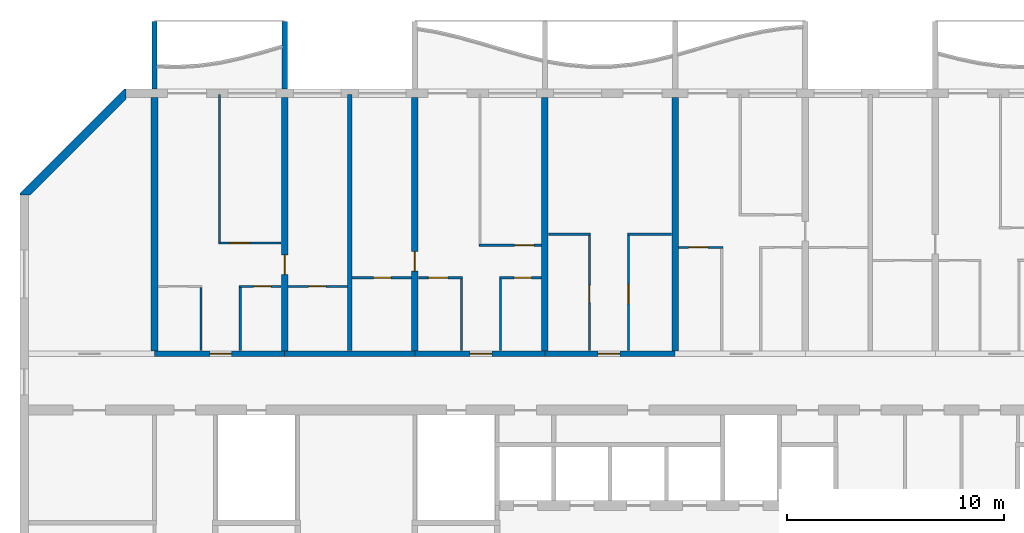
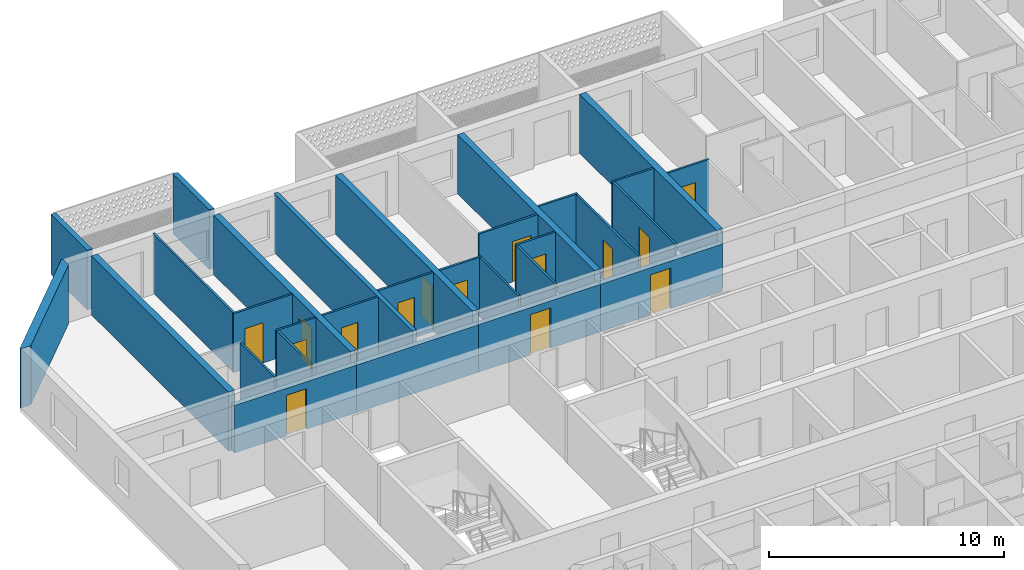
# One storey, part 9 of 33: 30 walls, 15 doors, 15 openings.
"""IFC4 building model written with IfcOpenShell, lengths in metres."""

from ifc_helpers import new_model, si_unit, direction, frame, frame_2d, origin, place, context, subcontext, project, spatial, polyline, rectangle, outline, extrude, source, transform, mapped, material, layer, layer_set, type_object, element, fill, save


model = new_model("IFC4")

# Units and contexts
model_context = context("Model", 3, precision=1e-05, world=origin(), true_north=direction((0.0, 1.0)))
body_context = subcontext(model_context, "Body", "Model", "MODEL_VIEW")
ifc_project = project(units=[si_unit("LENGTHUNIT", "METRE"), si_unit("AREAUNIT", "SQUARE_METRE"), si_unit("VOLUMEUNIT", "CUBIC_METRE"), si_unit("PLANEANGLEUNIT", "RADIAN"), si_unit("MASSUNIT", "GRAM", prefix="KILO")], contexts=[model_context])

# Site, building, storey
site_placement = place(None, origin())
site = spatial("IfcSite", under=ifc_project, at=site_placement, CompositionType="ELEMENT")
building_placement = place(site_placement, origin())
building = spatial("IfcBuilding", under=site, at=building_placement, Name="Poui Terraces", CompositionType="ELEMENT")
storey_placement = place(building_placement, frame((0.0, 0.0, 135.60009765625)))
storey = spatial("IfcBuildingStorey", under=building, at=storey_placement, Name="L37", CompositionType="ELEMENT", Elevation=135.60009765625)

# Wall, opening, door
ifc_material_1 = material(Name="Concrete 65 MPa", Category="concrete")
ifc_layer_1 = layer(ifc_material_1, 0.25)
ifc_layer_set_1 = layer_set([ifc_layer_1], Name="Concrete 65 MPa")
wall_type_1 = type_object("IfcWallType", Name="CORRIDOR WALL 250 65MPa", PredefinedType="SHEAR", material=ifc_layer_set_1)
wall_1_placement = place(storey_placement, frame((18.0, 30.39990234375, 0.0), z_axis=(0.0, 0.0, 1.0), x_axis=(1.0, 0.0, 0.0)))
wall_1 = element("IfcWall", 1, at=wall_1_placement, inside=storey, type_object=wall_type_1, Name="CORRIDOR WALL LINE E BAY 2", PredefinedType="SHEAR", context=body_context, shape_type="SweptSolid", body=[
    extrude(rectangle(XDim=6.0, YDim=0.25, at=frame_2d((3.0, 0.0))), origin(), (0.0, 0.0, 1.0), 2.469970703125),
])
opening_1_placement = place(wall_1_placement, frame((2.550048828125, 0.0, 0.0)))
opening_1 = element("IfcOpeningElement", 2, at=opening_1_placement, cuts=wall_1, Name="Opening FD30S", PredefinedType="OPENING", context=body_context, shape_type="SweptSolid", body=[
    extrude(rectangle(XDim=1.0, YDim=2.10009765625, at=frame_2d((0.5, 1.050048828125))), frame((0.0, 0.135009765625, 0.0), z_axis=(0.0, -1.0, 0.0), x_axis=(1.0, 0.0, 0.0)), (0.0, 0.0, 1.0), 0.27001953125),
])
ifc_material_2 = material(Name="Steel fire door", Category="steel")
door_type_1 = type_object("IfcDoorType", Name="FLAT ENTRANCE DOOR 1000 X 2100", OperationType="NOTDEFINED", PredefinedType="DOOR", material=ifc_material_2)
door_1_placement = place(opening_1_placement, origin())
door_1 = element("IfcDoor", 3, at=door_1_placement, inside=storey, type_object=door_type_1, Name="FLAT ENTRANCE DOOR 034", OperationType="SINGLE_SWING_RIGHT", OverallHeight=2.10009765625, OverallWidth=1.0, PredefinedType="DOOR", context=body_context, shape_type="SweptSolid", body=[
    extrude(rectangle(XDim=1.0, YDim=2.10009765625, at=frame_2d((0.5, 1.050048828125))), frame((0.0, 0.02490234375, 0.0), z_axis=(0.0, -1.0, 0.0), x_axis=(1.0, 0.0, 0.0)), (0.0, 0.0, 1.0), 0.050048828125),
])
fill(opening_1, door_1)

# Wall
wall_2_placement = place(storey_placement, frame((24.0, 30.39990234375, 0.0), z_axis=(0.0, 0.0, 1.0), x_axis=(1.0, 0.0, 0.0)))
element("IfcWall", 4, at=wall_2_placement, inside=storey, type_object=wall_type_1, Name="CORRIDOR WALL LINE E BAY 3", PredefinedType="SHEAR", context=body_context, shape_type="SweptSolid", body=[
    extrude(rectangle(XDim=6.0, YDim=0.25, at=frame_2d((3.0, 0.0))), origin(), (0.0, 0.0, 1.0), 2.469970703125),
])

# Wall, opening, door
wall_3_placement = place(storey_placement, frame((30.0, 30.39990234375, 0.0), z_axis=(0.0, 0.0, 1.0), x_axis=(1.0, 0.0, 0.0)))
wall_3 = element("IfcWall", 5, at=wall_3_placement, inside=storey, type_object=wall_type_1, Name="CORRIDOR WALL LINE E BAY 4", PredefinedType="SHEAR", context=body_context, shape_type="SweptSolid", body=[
    extrude(rectangle(XDim=6.0, YDim=0.25, at=frame_2d((3.0, 0.0))), origin(), (0.0, 0.0, 1.0), 2.469970703125),
])
opening_2_placement = place(wall_3_placement, frame((2.550048828125, 0.0, 0.0)))
opening_2 = element("IfcOpeningElement", 6, at=opening_2_placement, cuts=wall_3, Name="Opening FD30S", PredefinedType="OPENING", context=body_context, shape_type="SweptSolid", body=[
    extrude(rectangle(XDim=1.0, YDim=2.10009765625, at=frame_2d((0.5, 1.050048828125))), frame((0.0, 0.135009765625, 0.0), z_axis=(0.0, -1.0, 0.0), x_axis=(1.0, 0.0, 0.0)), (0.0, 0.0, 1.0), 0.27001953125),
])
door_2_placement = place(opening_2_placement, origin())
door_2 = element("IfcDoor", 7, at=door_2_placement, inside=storey, type_object=door_type_1, Name="FLAT ENTRANCE DOOR 041", OperationType="SINGLE_SWING_RIGHT", OverallHeight=2.10009765625, OverallWidth=1.0, PredefinedType="DOOR", context=body_context, shape_type="SweptSolid", body=[
    extrude(rectangle(XDim=1.0, YDim=2.10009765625, at=frame_2d((0.5, 1.050048828125))), frame((0.0, 0.02490234375, 0.0), z_axis=(0.0, -1.0, 0.0), x_axis=(1.0, 0.0, 0.0)), (0.0, 0.0, 1.0), 0.050048828125),
])
fill(opening_2, door_2)

wall_4_placement = place(storey_placement, frame((36.0, 30.39990234375, 0.0), z_axis=(0.0, 0.0, 1.0), x_axis=(1.0, 0.0, 0.0)))
wall_4 = element("IfcWall", 8, at=wall_4_placement, inside=storey, type_object=wall_type_1, Name="CORRIDOR WALL LINE E BAY 5", PredefinedType="SHEAR", context=body_context, shape_type="SweptSolid", body=[
    extrude(rectangle(XDim=6.0, YDim=0.25, at=frame_2d((3.0, 0.0))), origin(), (0.0, 0.0, 1.0), 2.469970703125),
])
opening_3_placement = place(wall_4_placement, frame((2.449951171875, 0.0, 0.0)))
opening_3 = element("IfcOpeningElement", 9, at=opening_3_placement, cuts=wall_4, Name="Opening FD30S", PredefinedType="OPENING", context=body_context, shape_type="SweptSolid", body=[
    extrude(rectangle(XDim=1.0, YDim=2.10009765625, at=frame_2d((0.5, 1.050048828125))), frame((0.0, 0.135009765625, 0.0), z_axis=(0.0, -1.0, 0.0), x_axis=(1.0, 0.0, 0.0)), (0.0, 0.0, 1.0), 0.27001953125),
])
door_3_placement = place(opening_3_placement, origin())
door_3 = element("IfcDoor", 10, at=door_3_placement, inside=storey, type_object=door_type_1, Name="FLAT ENTRANCE DOOR 045", OperationType="SINGLE_SWING_LEFT", OverallHeight=2.10009765625, OverallWidth=1.0, PredefinedType="DOOR", context=body_context, shape_type="SweptSolid", body=[
    extrude(rectangle(XDim=1.0, YDim=2.10009765625, at=frame_2d((0.5, 1.050048828125))), frame((0.0, 0.02490234375, 0.0), z_axis=(0.0, -1.0, 0.0), x_axis=(1.0, 0.0, 0.0)), (0.0, 0.0, 1.0), 0.050048828125),
])
fill(opening_3, door_3)

# Wall
ifc_layer_2 = layer(ifc_material_1, 0.300048828125)
ifc_layer_set_2 = layer_set([ifc_layer_2], Name="Concrete 65 MPa")
wall_type_2 = type_object("IfcWallType", Name="CROSS WALL 300 65MPa", PredefinedType="SHEAR", material=ifc_layer_set_2)
wall_5_placement = place(storey_placement, frame((18.0, 30.52490234375, 0.0), z_axis=(0.0, 0.0, 1.0), x_axis=(0.0, 1.0, 0.0)))
element("IfcWall", 11, at=wall_5_placement, inside=storey, type_object=wall_type_2, Name="CROSS WALL LINE 4 NORTH", PredefinedType="SHEAR", context=body_context, shape_type="SweptSolid", body=[
    extrude(rectangle(XDim=11.675048828125, YDim=0.300048828125, at=frame_2d((5.83740234375, 0.0))), origin(), (0.0, 0.0, 1.0), 3.06982421875),
])

# Wall, opening, door
wall_6_placement = place(storey_placement, frame((24.0, 30.52490234375, 0.0), z_axis=(0.0, 0.0, 1.0), x_axis=(0.0, 1.0, 0.0)))
wall_6 = element("IfcWall", 12, at=wall_6_placement, inside=storey, type_object=wall_type_2, Name="CROSS WALL LINE 5 NORTH", PredefinedType="SHEAR", context=body_context, shape_type="SweptSolid", body=[
    extrude(rectangle(XDim=11.675048828125, YDim=0.300048828125, at=frame_2d((5.83740234375, 0.0))), origin(), (0.0, 0.0, 1.0), 3.06982421875),
])
opening_4_placement = place(wall_6_placement, frame((3.52490234375, 0.0, 0.0)))
opening_4 = element("IfcOpeningElement", 13, at=opening_4_placement, cuts=wall_6, Name="Opening D90", PredefinedType="OPENING", context=body_context, shape_type="SweptSolid", body=[
    extrude(rectangle(XDim=0.89990234375, YDim=2.10009765625, at=frame_2d((0.449951171875, 1.050048828125))), frame((0.0, 0.16015625, 0.0), z_axis=(0.0, -1.0, 0.0), x_axis=(1.0, 0.0, 0.0)), (0.0, 0.0, 1.0), 0.320068359375),
])
ifc_material_3 = material(Name="Solid core timber door", Category="wood")
door_type_2 = type_object("IfcDoorType", Name="INTERNAL DOOR 900 X 2100", OperationType="NOTDEFINED", PredefinedType="DOOR", material=ifc_material_3)
door_4_placement = place(opening_4_placement, frame((0.89990234375, 0.0, 0.0), z_axis=(0.0, 0.0, 1.0), x_axis=(-1.0, 0.0, 0.0)))
door_4 = element("IfcDoor", 14, at=door_4_placement, inside=storey, type_object=door_type_2, Name="INTERNAL DOOR 037", OperationType="SINGLE_SWING_RIGHT", OverallHeight=2.10009765625, OverallWidth=0.89990234375, PredefinedType="DOOR", context=body_context, shape_type="SweptSolid", body=[
    extrude(rectangle(XDim=0.89990234375, YDim=2.10009765625, at=frame_2d((0.449951171875, 1.050048828125))), frame((0.0, 0.02490234375, 0.0), z_axis=(0.0, -1.0, 0.0), x_axis=(1.0, 0.0, 0.0)), (0.0, 0.0, 1.0), 0.050048828125),
])
fill(opening_4, door_4)

wall_7_placement = place(storey_placement, frame((30.0, 30.52490234375, 0.0), z_axis=(0.0, 0.0, 1.0), x_axis=(0.0, 1.0, 0.0)))
wall_7 = element("IfcWall", 15, at=wall_7_placement, inside=storey, type_object=wall_type_2, Name="CROSS WALL LINE 6 NORTH", PredefinedType="SHEAR", context=body_context, shape_type="SweptSolid", body=[
    extrude(rectangle(XDim=11.675048828125, YDim=0.300048828125, at=frame_2d((5.83740234375, 0.0))), origin(), (0.0, 0.0, 1.0), 3.06982421875),
])
opening_5_placement = place(wall_7_placement, frame((3.675048828125, 0.0, 0.0)))
opening_5 = element("IfcOpeningElement", 16, at=opening_5_placement, cuts=wall_7, Name="Opening D90", PredefinedType="OPENING", context=body_context, shape_type="SweptSolid", body=[
    extrude(rectangle(XDim=0.89990234375, YDim=2.10009765625, at=frame_2d((0.449951171875, 1.050048828125))), frame((0.0, 0.16015625, 0.0), z_axis=(0.0, -1.0, 0.0), x_axis=(1.0, 0.0, 0.0)), (0.0, 0.0, 1.0), 0.320068359375),
])
door_5_placement = place(opening_5_placement, origin())
door_5 = element("IfcDoor", 17, at=door_5_placement, inside=storey, type_object=door_type_2, Name="INTERNAL DOOR 039", OperationType="SINGLE_SWING_LEFT", OverallHeight=2.10009765625, OverallWidth=0.89990234375, PredefinedType="DOOR", context=body_context, shape_type="SweptSolid", body=[
    extrude(rectangle(XDim=0.89990234375, YDim=2.10009765625, at=frame_2d((0.449951171875, 1.050048828125))), frame((0.0, 0.02490234375, 0.0), z_axis=(0.0, -1.0, 0.0), x_axis=(1.0, 0.0, 0.0)), (0.0, 0.0, 1.0), 0.050048828125),
])
fill(opening_5, door_5)

# Walls
for number, where, z_axis, x_axis, name in (
    (18, (36.0, 30.52490234375, 0.0), (0.0, 0.0, 1.0), (0.0, 1.0, 0.0), "CROSS WALL LINE 7 NORTH"),
    (19, (42.0, 30.52490234375, 0.0), (0.0, 0.0, 1.0), (0.0, 1.0, 0.0), "CROSS WALL LINE 8 NORTH"),
):
    element("IfcWall", number, at=place(storey_placement, frame(where, z_axis=z_axis, x_axis=x_axis)), inside=storey, type_object=wall_type_2, Name=name, PredefinedType="SHEAR", context=body_context, shape_type="SweptSolid", body=[
        extrude(rectangle(XDim=11.675048828125, YDim=0.300048828125, at=frame_2d((5.83740234375, 0.0))), origin(), (0.0, 0.0, 1.0), 3.06982421875),
    ])

# Wall, opening, door
ifc_material_4 = material(Name="Plasterboard partition")
ifc_layer_3 = layer(ifc_material_4, 0.10009765625)
ifc_layer_set_3 = layer_set([ifc_layer_3], Name="Plasterboard partition")
wall_type_3 = type_object("IfcWallType", Name="FLAT PARTITION 100", PredefinedType="PARTITIONING", material=ifc_layer_set_3)
wall_8_placement = place(storey_placement, frame((21.89990234375, 33.5, 0.0), z_axis=(0.0, 0.0, 1.0), x_axis=(1.0, 0.0, 0.0)))
wall_8 = element("IfcWall", 20, at=wall_8_placement, inside=storey, type_object=wall_type_3, Name="FLAT PARTITION 100", PredefinedType="PARTITIONING", context=body_context, shape_type="SweptSolid", body=[
    extrude(rectangle(XDim=1.940185546875, YDim=0.10009765625, at=frame_2d((0.97021484375, 0.0))), origin(), (0.0, 0.0, 1.0), 3.06982421875),
])
opening_6_placement = place(wall_8_placement, frame((0.675048828125, 0.0, 0.0)))
opening_6 = element("IfcOpeningElement", 21, at=opening_6_placement, cuts=wall_8, Name="Opening D80", PredefinedType="OPENING", context=body_context, shape_type="SweptSolid", body=[
    extrude(rectangle(XDim=0.800048828125, YDim=2.10009765625, at=frame_2d((0.39990234375, 1.050048828125))), frame((0.0, 0.06005859375, 0.0), z_axis=(0.0, -1.0, 0.0), x_axis=(1.0, 0.0, 0.0)), (0.0, 0.0, 1.0), 0.1201171875),
])
door_type_3 = type_object("IfcDoorType", Name="BATHROOM, LAUNDRY AND STORE DOOR 800 X 2100", OperationType="NOTDEFINED", PredefinedType="DOOR", material=ifc_material_3)
door_6_placement = place(opening_6_placement, frame((0.800048828125, 0.0, 0.0), z_axis=(0.0, 0.0, 1.0), x_axis=(-1.0, 0.0, 0.0)))
door_6 = element("IfcDoor", 22, at=door_6_placement, inside=storey, type_object=door_type_3, Name="BATHROOM, LAUNDRY AND STORE DOOR 036", OperationType="SINGLE_SWING_RIGHT", OverallHeight=2.10009765625, OverallWidth=0.800048828125, PredefinedType="DOOR", context=body_context, shape_type="SweptSolid", body=[
    extrude(rectangle(XDim=0.800048828125, YDim=2.10009765625, at=frame_2d((0.39990234375, 1.050048828125))), frame((0.0, 0.02490234375, 0.0), z_axis=(0.0, -1.0, 0.0), x_axis=(1.0, 0.0, 0.0)), (0.0, 0.0, 1.0), 0.050048828125),
])
fill(opening_6, door_6)

wall_9_placement = place(storey_placement, frame((24.159912109375, 33.5, 0.0), z_axis=(0.0, 0.0, 1.0), x_axis=(1.0, 0.0, 0.0)))
wall_9 = element("IfcWall", 23, at=wall_9_placement, inside=storey, type_object=wall_type_3, Name="FLAT PARTITION 100", PredefinedType="PARTITIONING", context=body_context, shape_type="SweptSolid", body=[
    extrude(rectangle(XDim=2.739990234375, YDim=0.10009765625, at=frame_2d((1.3701171875, 0.0))), origin(), (0.0, 0.0, 1.0), 3.06982421875),
])
opening_7_placement = place(wall_9_placement, frame((0.93994140625, 0.0, 0.0)))
opening_7 = element("IfcOpeningElement", 24, at=opening_7_placement, cuts=wall_9, Name="Opening D80", PredefinedType="OPENING", context=body_context, shape_type="SweptSolid", body=[
    extrude(rectangle(XDim=0.800048828125, YDim=2.10009765625, at=frame_2d((0.39990234375, 1.050048828125))), frame((0.0, 0.06005859375, 0.0), z_axis=(0.0, -1.0, 0.0), x_axis=(1.0, 0.0, 0.0)), (0.0, 0.0, 1.0), 0.1201171875),
])
door_7_placement = place(opening_7_placement, frame((0.800048828125, 0.0, 0.0), z_axis=(0.0, 0.0, 1.0), x_axis=(-1.0, 0.0, 0.0)))
door_7 = element("IfcDoor", 25, at=door_7_placement, inside=storey, type_object=door_type_3, Name="BATHROOM, LAUNDRY AND STORE DOOR 032", OperationType="SINGLE_SWING_LEFT", OverallHeight=2.10009765625, OverallWidth=0.800048828125, PredefinedType="DOOR", context=body_context, shape_type="SweptSolid", body=[
    extrude(rectangle(XDim=0.800048828125, YDim=2.10009765625, at=frame_2d((0.39990234375, 1.050048828125))), frame((0.0, 0.02490234375, 0.0), z_axis=(0.0, -1.0, 0.0), x_axis=(1.0, 0.0, 0.0)), (0.0, 0.0, 1.0), 0.050048828125),
])
fill(opening_7, door_7)

wall_10_placement = place(storey_placement, frame((27.10009765625, 33.89990234375, 0.0), z_axis=(0.0, 0.0, 1.0), x_axis=(1.0, 0.0, 0.0)))
wall_10 = element("IfcWall", 26, at=wall_10_placement, inside=storey, type_object=wall_type_3, Name="FLAT PARTITION 100", PredefinedType="PARTITIONING", context=body_context, shape_type="SweptSolid", body=[
    extrude(rectangle(XDim=2.739990234375, YDim=0.10009765625, at=frame_2d((1.3701171875, 0.0))), origin(), (0.0, 0.0, 1.0), 3.06982421875),
])
opening_8_placement = place(wall_10_placement, frame((1.0, 0.0, 0.0)))
opening_8 = element("IfcOpeningElement", 27, at=opening_8_placement, cuts=wall_10, Name="Opening D80", PredefinedType="OPENING", context=body_context, shape_type="SweptSolid", body=[
    extrude(rectangle(XDim=0.800048828125, YDim=2.10009765625, at=frame_2d((0.39990234375, 1.050048828125))), frame((0.0, 0.06005859375, 0.0), z_axis=(0.0, -1.0, 0.0), x_axis=(1.0, 0.0, 0.0)), (0.0, 0.0, 1.0), 0.1201171875),
])
door_8_placement = place(opening_8_placement, frame((0.800048828125, 0.0, 0.0), z_axis=(0.0, 0.0, 1.0), x_axis=(-1.0, 0.0, 0.0)))
door_8 = element("IfcDoor", 28, at=door_8_placement, inside=storey, type_object=door_type_3, Name="BATHROOM, LAUNDRY AND STORE DOOR 038", OperationType="SINGLE_SWING_RIGHT", OverallHeight=2.10009765625, OverallWidth=0.800048828125, PredefinedType="DOOR", context=body_context, shape_type="SweptSolid", body=[
    extrude(rectangle(XDim=0.800048828125, YDim=2.10009765625, at=frame_2d((0.39990234375, 1.050048828125))), frame((0.0, 0.02490234375, 0.0), z_axis=(0.0, -1.0, 0.0), x_axis=(1.0, 0.0, 0.0)), (0.0, 0.0, 1.0), 0.050048828125),
])
fill(opening_8, door_8)

wall_11_placement = place(storey_placement, frame((30.159912109375, 33.89990234375, 0.0), z_axis=(0.0, 0.0, 1.0), x_axis=(1.0, 0.0, 0.0)))
wall_11 = element("IfcWall", 29, at=wall_11_placement, inside=storey, type_object=wall_type_3, Name="FLAT PARTITION 100", PredefinedType="PARTITIONING", context=body_context, shape_type="SweptSolid", body=[
    extrude(rectangle(XDim=2.0400390625, YDim=0.10009765625, at=frame_2d((1.02001953125, 0.0))), origin(), (0.0, 0.0, 1.0), 3.06982421875),
])
opening_9_placement = place(wall_11_placement, frame((0.465087890625, 0.0, 0.0)))
opening_9 = element("IfcOpeningElement", 30, at=opening_9_placement, cuts=wall_11, Name="Opening D90", PredefinedType="OPENING", context=body_context, shape_type="SweptSolid", body=[
    extrude(rectangle(XDim=0.89990234375, YDim=2.10009765625, at=frame_2d((0.449951171875, 1.050048828125))), frame((0.0, 0.06005859375, 0.0), z_axis=(0.0, -1.0, 0.0), x_axis=(1.0, 0.0, 0.0)), (0.0, 0.0, 1.0), 0.1201171875),
])
door_9_placement = place(opening_9_placement, frame((0.89990234375, 0.0, 0.0), z_axis=(0.0, 0.0, 1.0), x_axis=(-1.0, 0.0, 0.0)))
door_9 = element("IfcDoor", 31, at=door_9_placement, inside=storey, type_object=door_type_2, Name="INTERNAL DOOR 040", OperationType="SINGLE_SWING_RIGHT", OverallHeight=2.10009765625, OverallWidth=0.89990234375, PredefinedType="DOOR", context=body_context, shape_type="SweptSolid", body=[
    extrude(rectangle(XDim=0.89990234375, YDim=2.10009765625, at=frame_2d((0.449951171875, 1.050048828125))), frame((0.0, 0.02490234375, 0.0), z_axis=(0.0, -1.0, 0.0), x_axis=(1.0, 0.0, 0.0)), (0.0, 0.0, 1.0), 0.050048828125),
])
fill(opening_9, door_9)

wall_12_placement = place(storey_placement, frame((33.89990234375, 33.89990234375, 0.0), z_axis=(0.0, 0.0, 1.0), x_axis=(1.0, 0.0, 0.0)))
wall_12 = element("IfcWall", 32, at=wall_12_placement, inside=storey, type_object=wall_type_3, Name="FLAT PARTITION 100", PredefinedType="PARTITIONING", context=body_context, shape_type="SweptSolid", body=[
    extrude(rectangle(XDim=1.940185546875, YDim=0.10009765625, at=frame_2d((0.97021484375, 0.0))), origin(), (0.0, 0.0, 1.0), 3.06982421875),
])
opening_10_placement = place(wall_12_placement, frame((0.675048828125, 0.0, 0.0)))
opening_10 = element("IfcOpeningElement", 33, at=opening_10_placement, cuts=wall_12, Name="Opening D80", PredefinedType="OPENING", context=body_context, shape_type="SweptSolid", body=[
    extrude(rectangle(XDim=0.800048828125, YDim=2.10009765625, at=frame_2d((0.39990234375, 1.050048828125))), frame((0.0, 0.06005859375, 0.0), z_axis=(0.0, -1.0, 0.0), x_axis=(1.0, 0.0, 0.0)), (0.0, 0.0, 1.0), 0.1201171875),
])
door_10_placement = place(opening_10_placement, frame((0.800048828125, 0.0, 0.0), z_axis=(0.0, 0.0, 1.0), x_axis=(-1.0, 0.0, 0.0)))
door_10 = element("IfcDoor", 34, at=door_10_placement, inside=storey, type_object=door_type_3, Name="BATHROOM, LAUNDRY AND STORE DOOR 042", OperationType="SINGLE_SWING_LEFT", OverallHeight=2.10009765625, OverallWidth=0.800048828125, PredefinedType="DOOR", context=body_context, shape_type="SweptSolid", body=[
    extrude(rectangle(XDim=0.800048828125, YDim=2.10009765625, at=frame_2d((0.39990234375, 1.050048828125))), frame((0.0, 0.02490234375, 0.0), z_axis=(0.0, -1.0, 0.0), x_axis=(1.0, 0.0, 0.0)), (0.0, 0.0, 1.0), 0.050048828125),
])
fill(opening_10, door_10)

wall_13_placement = place(storey_placement, frame((42.159912109375, 35.300048828125, 0.0), z_axis=(0.0, 0.0, 1.0), x_axis=(1.0, 0.0, 0.0)))
wall_13 = element("IfcWall", 35, at=wall_13_placement, inside=storey, type_object=wall_type_3, Name="FLAT PARTITION 100", PredefinedType="PARTITIONING", context=body_context, shape_type="SweptSolid", body=[
    extrude(rectangle(XDim=2.0400390625, YDim=0.10009765625, at=frame_2d((1.02001953125, 0.0))), origin(), (0.0, 0.0, 1.0), 3.06982421875),
])
opening_11_placement = place(wall_13_placement, frame((0.465087890625, 0.0, 0.0)))
opening_11 = element("IfcOpeningElement", 36, at=opening_11_placement, cuts=wall_13, Name="Opening D90", PredefinedType="OPENING", context=body_context, shape_type="SweptSolid", body=[
    extrude(rectangle(XDim=0.89990234375, YDim=2.10009765625, at=frame_2d((0.449951171875, 1.050048828125))), frame((0.0, 0.06005859375, 0.0), z_axis=(0.0, -1.0, 0.0), x_axis=(1.0, 0.0, 0.0)), (0.0, 0.0, 1.0), 0.1201171875),
])
door_11_placement = place(opening_11_placement, frame((0.89990234375, 0.0, 0.0), z_axis=(0.0, 0.0, 1.0), x_axis=(-1.0, 0.0, 0.0)))
door_11 = element("IfcDoor", 37, at=door_11_placement, inside=storey, type_object=door_type_2, Name="INTERNAL DOOR 048", OperationType="SINGLE_SWING_RIGHT", OverallHeight=2.10009765625, OverallWidth=0.89990234375, PredefinedType="DOOR", context=body_context, shape_type="SweptSolid", body=[
    extrude(rectangle(XDim=0.89990234375, YDim=2.10009765625, at=frame_2d((0.449951171875, 1.050048828125))), frame((0.0, 0.02490234375, 0.0), z_axis=(0.0, -1.0, 0.0), x_axis=(1.0, 0.0, 0.0)), (0.0, 0.0, 1.0), 0.050048828125),
])
fill(opening_11, door_11)

wall_14_placement = place(storey_placement, frame((32.949951171875, 35.39990234375, 0.0), z_axis=(0.0, 0.0, 1.0), x_axis=(1.0, 0.0, 0.0)))
wall_14 = element("IfcWall", 38, at=wall_14_placement, inside=storey, type_object=wall_type_3, Name="FLAT PARTITION 100", PredefinedType="PARTITIONING", context=body_context, shape_type="SweptSolid", body=[
    extrude(rectangle(XDim=2.89013671875, YDim=0.10009765625, at=frame_2d((1.445068359375, 0.0))), origin(), (0.0, 0.0, 1.0), 3.06982421875),
])
opening_12_placement = place(wall_14_placement, frame((1.64990234375, 0.0, 0.0)))
opening_12 = element("IfcOpeningElement", 39, at=opening_12_placement, cuts=wall_14, Name="Opening D90", PredefinedType="OPENING", context=body_context, shape_type="SweptSolid", body=[
    extrude(rectangle(XDim=0.89990234375, YDim=2.10009765625, at=frame_2d((0.449951171875, 1.050048828125))), frame((0.0, 0.06005859375, 0.0), z_axis=(0.0, -1.0, 0.0), x_axis=(1.0, 0.0, 0.0)), (0.0, 0.0, 1.0), 0.1201171875),
])
door_12_placement = place(opening_12_placement, frame((0.89990234375, 0.0, 0.0), z_axis=(0.0, 0.0, 1.0), x_axis=(-1.0, 0.0, 0.0)))
door_12 = element("IfcDoor", 40, at=door_12_placement, inside=storey, type_object=door_type_2, Name="INTERNAL DOOR 043", OperationType="SINGLE_SWING_RIGHT", OverallHeight=2.10009765625, OverallWidth=0.89990234375, PredefinedType="DOOR", context=body_context, shape_type="SweptSolid", body=[
    extrude(rectangle(XDim=0.89990234375, YDim=2.10009765625, at=frame_2d((0.449951171875, 1.050048828125))), frame((0.0, 0.02490234375, 0.0), z_axis=(0.0, -1.0, 0.0), x_axis=(1.0, 0.0, 0.0)), (0.0, 0.0, 1.0), 0.050048828125),
])
fill(opening_12, door_12)

wall_15_placement = place(storey_placement, frame((20.949951171875, 35.5, 0.0), z_axis=(0.0, 0.0, 1.0), x_axis=(1.0, 0.0, 0.0)))
wall_15 = element("IfcWall", 41, at=wall_15_placement, inside=storey, type_object=wall_type_3, Name="FLAT PARTITION 100", PredefinedType="PARTITIONING", context=body_context, shape_type="SweptSolid", body=[
    extrude(rectangle(XDim=2.89013671875, YDim=0.10009765625, at=frame_2d((1.445068359375, 0.0))), origin(), (0.0, 0.0, 1.0), 3.06982421875),
])
opening_13_placement = place(wall_15_placement, frame((0.550048828125, 0.0, 0.0)))
opening_13 = element("IfcOpeningElement", 42, at=opening_13_placement, cuts=wall_15, Name="Opening D90", PredefinedType="OPENING", context=body_context, shape_type="SweptSolid", body=[
    extrude(rectangle(XDim=0.89990234375, YDim=2.10009765625, at=frame_2d((0.449951171875, 1.050048828125))), frame((0.0, 0.06005859375, 0.0), z_axis=(0.0, -1.0, 0.0), x_axis=(1.0, 0.0, 0.0)), (0.0, 0.0, 1.0), 0.1201171875),
])
door_13_placement = place(opening_13_placement, frame((0.89990234375, 0.0, 0.0), z_axis=(0.0, 0.0, 1.0), x_axis=(-1.0, 0.0, 0.0)))
door_13 = element("IfcDoor", 43, at=door_13_placement, inside=storey, type_object=door_type_2, Name="INTERNAL DOOR 035", OperationType="SINGLE_SWING_LEFT", OverallHeight=2.10009765625, OverallWidth=0.89990234375, PredefinedType="DOOR", context=body_context, shape_type="SweptSolid", body=[
    extrude(rectangle(XDim=0.89990234375, YDim=2.10009765625, at=frame_2d((0.449951171875, 1.050048828125))), frame((0.0, 0.02490234375, 0.0), z_axis=(0.0, -1.0, 0.0), x_axis=(1.0, 0.0, 0.0)), (0.0, 0.0, 1.0), 0.050048828125),
])
fill(opening_13, door_13)

# Walls
wall_16_placement = place(storey_placement, frame((36.159912109375, 35.89990234375, 0.0), z_axis=(0.0, 0.0, 1.0), x_axis=(1.0, 0.0, 0.0)))
element("IfcWall", 44, at=wall_16_placement, inside=storey, type_object=wall_type_3, Name="FLAT PARTITION 100", PredefinedType="PARTITIONING", context=body_context, shape_type="SweptSolid", body=[
    extrude(rectangle(XDim=1.940185546875, YDim=0.10009765625, at=frame_2d((0.97021484375, 0.0))), origin(), (0.0, 0.0, 1.0), 3.06982421875),
])
wall_17_placement = place(storey_placement, frame((39.800048828125, 35.89990234375, 0.0), z_axis=(0.0, 0.0, 1.0), x_axis=(1.0, 0.0, 0.0)))
element("IfcWall", 45, at=wall_17_placement, inside=storey, type_object=wall_type_3, Name="FLAT PARTITION 100", PredefinedType="PARTITIONING", context=body_context, shape_type="SweptSolid", body=[
    extrude(rectangle(XDim=2.0400390625, YDim=0.10009765625, at=frame_2d((1.02001953125, 0.0))), origin(), (0.0, 0.0, 1.0), 3.06982421875),
])
wall_18_placement = place(storey_placement, frame((20.14990234375, 30.534912109375, 0.0), z_axis=(0.0, 0.0, 1.0), x_axis=(0.0, 1.0, 0.0)))
element("IfcWall", 46, at=wall_18_placement, inside=storey, type_object=wall_type_3, Name="FLAT PARTITION 100", PredefinedType="PARTITIONING", context=body_context, shape_type="SweptSolid", body=[
    extrude(rectangle(XDim=2.9150390625, YDim=0.10009765625, at=frame_2d((1.45751953125, 0.0))), origin(), (0.0, 0.0, 1.0), 3.06982421875),
])
wall_19_placement = place(storey_placement, frame((21.0, 35.550048828125, 0.0), z_axis=(0.0, 0.0, 1.0), x_axis=(0.0, 1.0, 0.0)))
element("IfcWall", 47, at=wall_19_placement, inside=storey, type_object=wall_type_3, Name="FLAT PARTITION 100", PredefinedType="PARTITIONING", context=body_context, shape_type="SweptSolid", body=[
    extrude(rectangle(XDim=6.7900390625, YDim=0.10009765625, at=frame_2d((3.39501953125, 0.0))), origin(), (0.0, 0.0, 1.0), 3.06982421875),
])
wall_20_placement = place(storey_placement, frame((21.949951171875, 30.534912109375, 0.0), z_axis=(0.0, 0.0, 1.0), x_axis=(0.0, 1.0, 0.0)))
element("IfcWall", 48, at=wall_20_placement, inside=storey, type_object=wall_type_3, Name="FLAT PARTITION 100", PredefinedType="PARTITIONING", context=body_context, shape_type="SweptSolid", body=[
    extrude(rectangle(XDim=2.9150390625, YDim=0.10009765625, at=frame_2d((1.45751953125, 0.0))), origin(), (0.0, 0.0, 1.0), 3.06982421875),
])
for number, where, z_axis, x_axis, name in (
    (49, (32.14990234375, 30.534912109375, 0.0), (0.0, 0.0, 1.0), (0.0, 1.0, 0.0), "FLAT PARTITION 100"),
    (50, (33.949951171875, 30.534912109375, 0.0), (0.0, 0.0, 1.0), (0.0, 1.0, 0.0), "FLAT PARTITION 100"),
):
    element("IfcWall", number, at=place(storey_placement, frame(where, z_axis=z_axis, x_axis=x_axis)), inside=storey, type_object=wall_type_3, Name=name, PredefinedType="PARTITIONING", context=body_context, shape_type="SweptSolid", body=[
        extrude(rectangle(XDim=3.315185546875, YDim=0.10009765625, at=frame_2d((1.65771484375, 0.0))), origin(), (0.0, 0.0, 1.0), 3.06982421875),
    ])

# Wall, opening, door
wall_21_placement = place(storey_placement, frame((38.050048828125, 30.534912109375, 0.0), z_axis=(0.0, 0.0, 1.0), x_axis=(0.0, 1.0, 0.0)))
wall_21 = element("IfcWall", 51, at=wall_21_placement, inside=storey, type_object=wall_type_3, Name="FLAT PARTITION 100", PredefinedType="PARTITIONING", context=body_context, shape_type="SweptSolid", body=[
    extrude(rectangle(XDim=5.315185546875, YDim=0.10009765625, at=frame_2d((2.65771484375, 0.0))), origin(), (0.0, 0.0, 1.0), 3.06982421875),
])
opening_14_placement = place(wall_21_placement, frame((2.215087890625, 0.0, 0.0)))
opening_14 = element("IfcOpeningElement", 52, at=opening_14_placement, cuts=wall_21, Name="Opening D80", PredefinedType="OPENING", context=body_context, shape_type="SweptSolid", body=[
    extrude(rectangle(XDim=0.800048828125, YDim=2.10009765625, at=frame_2d((0.39990234375, 1.050048828125))), frame((0.0, 0.06005859375, 0.0), z_axis=(0.0, -1.0, 0.0), x_axis=(1.0, 0.0, 0.0)), (0.0, 0.0, 1.0), 0.1201171875),
])
door_14_placement = place(opening_14_placement, origin())
door_14 = element("IfcDoor", 53, at=door_14_placement, inside=storey, type_object=door_type_3, Name="BATHROOM, LAUNDRY AND STORE DOOR 044", OperationType="SINGLE_SWING_LEFT", OverallHeight=2.10009765625, OverallWidth=0.800048828125, PredefinedType="DOOR", context=body_context, shape_type="SweptSolid", body=[
    extrude(rectangle(XDim=0.800048828125, YDim=2.10009765625, at=frame_2d((0.39990234375, 1.050048828125))), frame((0.0, 0.02490234375, 0.0), z_axis=(0.0, -1.0, 0.0), x_axis=(1.0, 0.0, 0.0)), (0.0, 0.0, 1.0), 0.050048828125),
])
fill(opening_14, door_14)

wall_22_placement = place(storey_placement, frame((39.85009765625, 30.534912109375, 0.0), z_axis=(0.0, 0.0, 1.0), x_axis=(0.0, 1.0, 0.0)))
wall_22 = element("IfcWall", 54, at=wall_22_placement, inside=storey, type_object=wall_type_3, Name="FLAT PARTITION 100", PredefinedType="PARTITIONING", context=body_context, shape_type="SweptSolid", body=[
    extrude(rectangle(XDim=5.315185546875, YDim=0.10009765625, at=frame_2d((2.65771484375, 0.0))), origin(), (0.0, 0.0, 1.0), 3.06982421875),
])
opening_15_placement = place(wall_22_placement, frame((2.1650390625, 0.0, 0.0)))
opening_15 = element("IfcOpeningElement", 55, at=opening_15_placement, cuts=wall_22, Name="Opening D90", PredefinedType="OPENING", context=body_context, shape_type="SweptSolid", body=[
    extrude(rectangle(XDim=0.89990234375, YDim=2.10009765625, at=frame_2d((0.449951171875, 1.050048828125))), frame((0.0, 0.06005859375, 0.0), z_axis=(0.0, -1.0, 0.0), x_axis=(1.0, 0.0, 0.0)), (0.0, 0.0, 1.0), 0.1201171875),
])
door_15_placement = place(opening_15_placement, frame((0.89990234375, 0.0, 0.0), z_axis=(0.0, 0.0, 1.0), x_axis=(-1.0, 0.0, 0.0)))
door_15 = element("IfcDoor", 56, at=door_15_placement, inside=storey, type_object=door_type_2, Name="INTERNAL DOOR 046", OperationType="SINGLE_SWING_LEFT", OverallHeight=2.10009765625, OverallWidth=0.89990234375, PredefinedType="DOOR", context=body_context, shape_type="SweptSolid", body=[
    extrude(rectangle(XDim=0.89990234375, YDim=2.10009765625, at=frame_2d((0.449951171875, 1.050048828125))), frame((0.0, 0.02490234375, 0.0), z_axis=(0.0, -1.0, 0.0), x_axis=(1.0, 0.0, 0.0)), (0.0, 0.0, 1.0), 0.050048828125),
])
fill(opening_15, door_15)

# Walls
ifc_material_5 = material(Name="Fire-rated masonry wall", Category="masonry")
ifc_layer_4 = layer(ifc_material_5, 0.199951171875)
ifc_layer_set_4 = layer_set([ifc_layer_4], Name="Fire-rated masonry wall")
wall_type_4 = type_object("IfcWallType", Name="FLAT PARTY WALL 200", PredefinedType="PARTITIONING", material=ifc_layer_set_4)
wall_23_placement = place(storey_placement, frame((27.0, 30.534912109375, 0.0), z_axis=(0.0, 0.0, 1.0), x_axis=(0.0, 1.0, 0.0)))
element("IfcWall", 57, at=wall_23_placement, inside=storey, type_object=wall_type_4, Name="FLAT PARTY WALL 200", PredefinedType="PARTITIONING", context=body_context, shape_type="SweptSolid", body=[
    extrude(rectangle(XDim=11.80517578125, YDim=0.199951171875, at=frame_2d((5.902587890625, 0.0))), origin(), (0.0, 0.0, 1.0), 3.06982421875),
])
ifc_material_6 = material(Name="Precast concrete 40 MPa", Category="concrete")
ifc_layer_5 = layer(ifc_material_6, 0.39990234375)
ifc_layer_set_5 = layer_set([ifc_layer_5], Name="Precast concrete 40 MPa")
wall_type_5 = type_object("IfcWallType", Name="TERRACOTTA CLAD CHAMFER WALL 400", PredefinedType="STANDARD", material=ifc_layer_set_5)
wall_24_placement = place(storey_placement, origin())
element("IfcWall", 58, at=wall_24_placement, inside=storey, type_object=wall_type_5, Name="CHAMFER WALL CH05", PredefinedType="STANDARD", context=body_context, shape_type="SweptSolid", body=[
    extrude(outline(polyline([(16.682861328125, 42.60009765625), (16.60009765625, 42.60009765625), (11.800048828125, 37.800048828125), (11.800048828125, 37.71728515625), (12.28271484375, 37.71728515625), (16.682861328125, 42.1171875), (16.682861328125, 42.60009765625)])), origin(), (0.0, 0.0, 1.0), 3.06982421875),
])
ifc_layer_6 = layer(ifc_material_6, 0.25)
ifc_layer_set_6 = layer_set([ifc_layer_6], Name="Precast concrete 40 MPa")
wall_type_6 = type_object("IfcWallType", Name="BALCONY FIN 250", PredefinedType="STANDARD", material=ifc_layer_set_6)
shared_shape = source(origin(), body_context, "Body", "SweptSolid", [
    extrude(outline(polyline([(0.0, 0.0), (0.25, 0.0), (0.25, 3.099853515625), (0.0, 3.099853515625), (0.0, 0.0)])), origin(), (0.0, 0.0, 1.0), 3.099853515625),
])
for number, where, name in (
    (59, (17.875, 42.60009765625, 0.0), "BALCONY FIN"),
    (60, (23.875, 42.60009765625, 0.0), "BALCONY FIN"),
):
    element("IfcWall", number, at=place(storey_placement, frame(where)), inside=storey, type_object=wall_type_6, Name=name, PredefinedType="STANDARD", context=body_context, shape_type="MappedRepresentation", body=[
        mapped(shared_shape, transform((0.0, 0.0, 0.0))),
    ])

save(model, "model.ifc")
